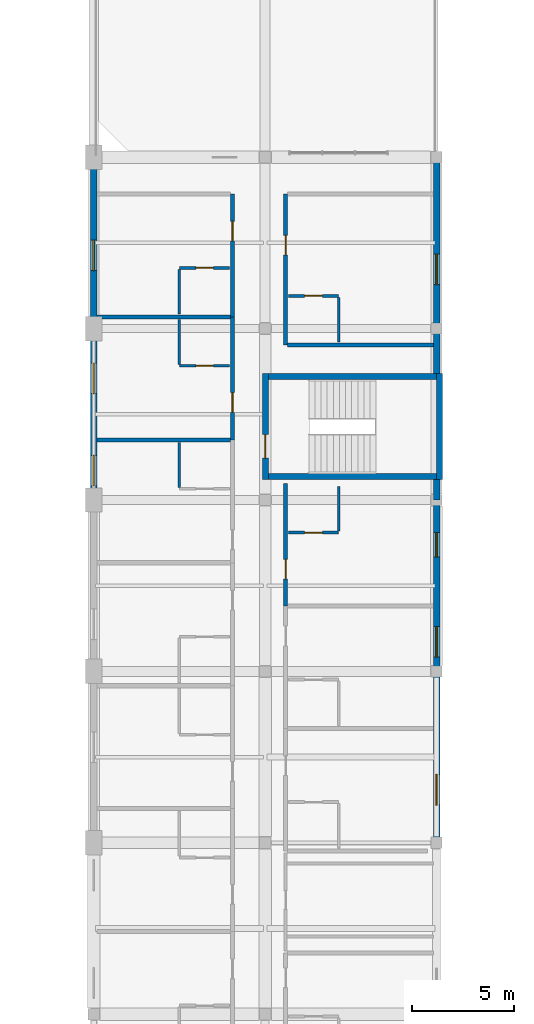
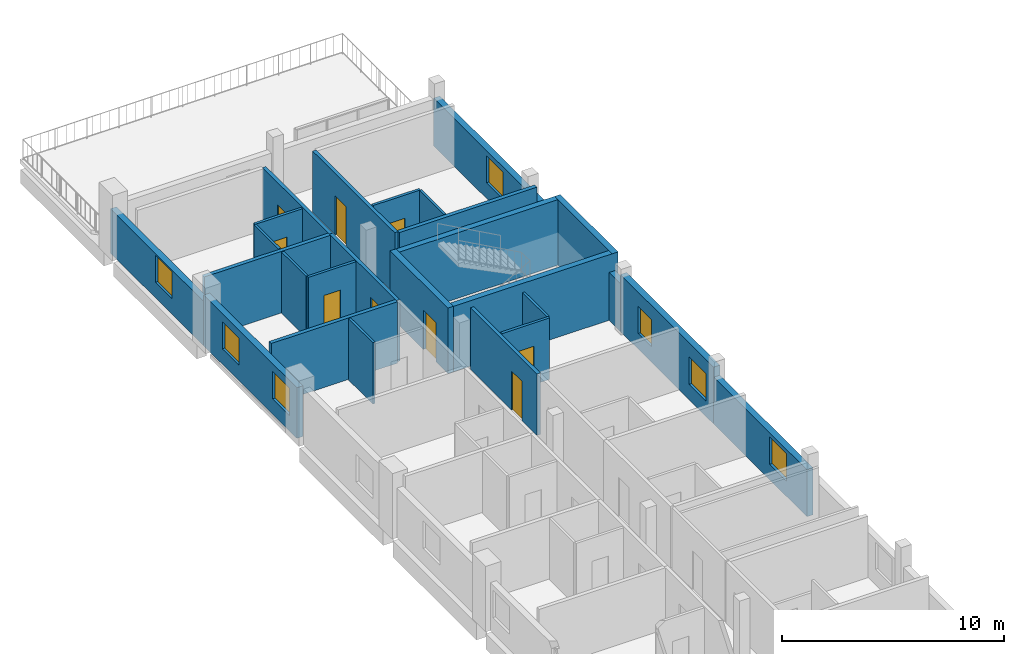
# One storey, part 17 of 26: 26 walls, 9 doors, 7 windows, 16 openings.
"""IFC4 building model written with IfcOpenShell, lengths in metres."""

from ifc_helpers import new_model, si_unit, derived_unit, direction, frame, frame_2d, origin, place, context, subcontext, project, spatial, rectangle, extrude, material, layer, layer_set, type_object, element, fill, save


model = new_model("IFC4")

# Units and contexts
model_context = context("Model", 3, precision=1e-05, world=origin(), true_north=direction((0.0, 1.0)))
body_context = subcontext(model_context, "Body", "Model", "MODEL_VIEW")
ifc_project = project(units=[si_unit("LENGTHUNIT", "METRE"), si_unit("AREAUNIT", "SQUARE_METRE"), si_unit("VOLUMEUNIT", "CUBIC_METRE"), si_unit("PLANEANGLEUNIT", "RADIAN"), si_unit("MASSUNIT", "GRAM", prefix="KILO"), derived_unit("THERMALTRANSMITTANCEUNIT", [(si_unit("POWERUNIT", "WATT"), 1), (si_unit("LENGTHUNIT", "METRE"), -2), (si_unit("THERMODYNAMICTEMPERATUREUNIT", "KELVIN"), -1)])], contexts=[model_context])

# Site, building, storey
site_placement = place(None, origin())
site = spatial("IfcSite", under=ifc_project, at=site_placement, CompositionType="ELEMENT")
building_placement = place(site_placement, origin())
building = spatial("IfcBuilding", under=site, at=building_placement, Name="Barrovel Congress Hotel", CompositionType="ELEMENT")
storey_placement = place(building_placement, frame((0.0, 0.0, 32.699951171875)))
storey = spatial("IfcBuildingStorey", under=building, at=storey_placement, Name="L08", CompositionType="ELEMENT", Elevation=32.699951171875)

# Wall, opening, window
ifc_material_1 = material(Name="Fired Clay Brick Masonry", Category="masonry")
ifc_layer_1 = layer(ifc_material_1, 0.320068359375)
ifc_layer_set_1 = layer_set([ifc_layer_1], Name="Fired Clay Brick Masonry")
wall_type_1 = type_object("IfcWallType", Name="EW-BRK320", PredefinedType="STANDARD", material=ifc_layer_set_1)
wall_1_placement = place(storey_placement, frame((50.39990234375, 60.800048828125, 0.0), z_axis=(0.0, 0.0, 1.0), x_axis=(0.0, 1.0, 0.0)))
wall_1 = element("IfcWall", 1, at=wall_1_placement, inside=storey, type_object=wall_type_1, Name="EW:L08:HW-E-2", PredefinedType="STANDARD", context=body_context, shape_type="SweptSolid", body=[
    extrude(rectangle(XDim=10.599853515625, YDim=0.320068359375, at=frame_2d((5.2998046875, 0.0))), origin(), (0.0, 0.0, 1.0), 2.630126953125),
])
opening_1_placement = place(wall_1_placement, frame((4.35009765625, 0.0, 0.85009765625)))
opening_1 = element("IfcOpeningElement", 2, at=opening_1_placement, cuts=wall_1, Name="Opening WN-07", PredefinedType="OPENING", context=body_context, shape_type="SweptSolid", body=[
    extrude(rectangle(XDim=1.5, YDim=1.5, at=frame_2d((0.75, 0.75))), frame((0.0, 0.169921875, 0.0), z_axis=(0.0, -1.0, 0.0), x_axis=(1.0, 0.0, 0.0)), (0.0, 0.0, 1.0), 0.340087890625),
])
ifc_material_2 = material(Name="Double Low-E Insulated Glazing", Category="glass")
window_type_1 = type_object("IfcWindowType", Name="WIN-WN-07", PartitioningType="SINGLE_PANEL", PredefinedType="WINDOW", material=ifc_material_2)
window_1_placement = place(opening_1_placement, origin())
window_1 = element("IfcWindow", 3, at=window_1_placement, inside=storey, type_object=window_type_1, Name="WIN:L08:U38", OverallHeight=1.5, OverallWidth=1.5, PartitioningType="SINGLE_PANEL", PredefinedType="WINDOW", context=body_context, shape_type="SweptSolid", body=[
    extrude(rectangle(XDim=1.5, YDim=1.5, at=frame_2d((0.75, 0.75))), frame((0.0, 0.030029296875, 0.0), z_axis=(0.0, -1.0, 0.0), x_axis=(1.0, 0.0, 0.0)), (0.0, 0.0, 1.0), 0.06005859375),
])
fill(opening_1, window_1)

wall_2_placement = place(storey_placement, frame((50.39990234375, 37.800048828125, 0.0), z_axis=(0.0, 0.0, 1.0), x_axis=(0.0, 1.0, 0.0)))
wall_2 = element("IfcWall", 4, at=wall_2_placement, inside=storey, type_object=wall_type_1, Name="EW:L08:HW-E-1:P02", PredefinedType="STANDARD", context=body_context, shape_type="SweptSolid", body=[
    extrude(rectangle(XDim=8.39990234375, YDim=0.320068359375, at=frame_2d((4.199951171875, 0.0))), origin(), (0.0, 0.0, 1.0), 2.580078125),
])
opening_2_placement = place(wall_2_placement, frame((1.85009765625, 0.0, 0.85009765625)))
opening_2 = element("IfcOpeningElement", 5, at=opening_2_placement, cuts=wall_2, Name="Opening WN-07", PredefinedType="OPENING", context=body_context, shape_type="SweptSolid", body=[
    extrude(rectangle(XDim=1.5, YDim=1.5, at=frame_2d((0.75, 0.75))), frame((0.0, 0.169921875, 0.0), z_axis=(0.0, -1.0, 0.0), x_axis=(1.0, 0.0, 0.0)), (0.0, 0.0, 1.0), 0.340087890625),
])
window_2_placement = place(opening_2_placement, origin())
window_2 = element("IfcWindow", 6, at=window_2_placement, inside=storey, type_object=window_type_1, Name="WIN:L08:U35", OverallHeight=1.5, OverallWidth=1.5, PartitioningType="SINGLE_PANEL", PredefinedType="WINDOW", context=body_context, shape_type="SweptSolid", body=[
    extrude(rectangle(XDim=1.5, YDim=1.5, at=frame_2d((0.75, 0.75))), frame((0.0, 0.030029296875, 0.0), z_axis=(0.0, -1.0, 0.0), x_axis=(1.0, 0.0, 0.0)), (0.0, 0.0, 1.0), 0.06005859375),
])
fill(opening_2, window_2)

# Wall, openings, windows
wall_3_placement = place(storey_placement, frame((50.39990234375, 46.199951171875, 0.0), z_axis=(0.0, 0.0, 1.0), x_axis=(0.0, 1.0, 0.0)))
wall_3 = element("IfcWall", 7, at=wall_3_placement, inside=storey, type_object=wall_type_1, Name="EW:L08:HW-E-1:P03", PredefinedType="STANDARD", context=body_context, shape_type="SweptSolid", body=[
    extrude(rectangle(XDim=8.400146484375, YDim=0.320068359375, at=frame_2d((4.2001953125, 0.0))), origin(), (0.0, 0.0, 1.0), 3.1259765625),
])
opening_3_placement = place(wall_3_placement, frame((0.699951171875, 0.0, 0.85009765625)))
opening_3 = element("IfcOpeningElement", 8, at=opening_3_placement, cuts=wall_3, Name="Opening WN-07", PredefinedType="OPENING", context=body_context, shape_type="SweptSolid", body=[
    extrude(rectangle(XDim=1.5, YDim=1.5, at=frame_2d((0.75, 0.75))), frame((0.0, 0.169921875, 0.0), z_axis=(0.0, -1.0, 0.0), x_axis=(1.0, 0.0, 0.0)), (0.0, 0.0, 1.0), 0.340087890625),
])
opening_4_placement = place(wall_3_placement, frame((5.60009765625, 0.0, 0.85009765625)))
opening_4 = element("IfcOpeningElement", 9, at=opening_4_placement, cuts=wall_3, Name="Opening WN-06", PredefinedType="OPENING", context=body_context, shape_type="SweptSolid", body=[
    extrude(rectangle(XDim=1.199951171875, YDim=1.5, at=frame_2d((0.60009765625, 0.75))), frame((0.0, 0.169921875, 0.0), z_axis=(0.0, -1.0, 0.0), x_axis=(1.0, 0.0, 0.0)), (0.0, 0.0, 1.0), 0.340087890625),
])
window_type_2 = type_object("IfcWindowType", Name="WIN-WN-06", PartitioningType="SINGLE_PANEL", PredefinedType="WINDOW", material=ifc_material_2)
window_3_placement = place(opening_4_placement, origin())
window_3 = element("IfcWindow", 10, at=window_3_placement, inside=storey, type_object=window_type_2, Name="WIN:L08:U37", OverallHeight=1.5, OverallWidth=1.199951171875, PartitioningType="SINGLE_PANEL", PredefinedType="WINDOW", context=body_context, shape_type="SweptSolid", body=[
    extrude(rectangle(XDim=1.199951171875, YDim=1.5, at=frame_2d((0.60009765625, 0.75))), frame((0.0, 0.030029296875, 0.0), z_axis=(0.0, -1.0, 0.0), x_axis=(1.0, 0.0, 0.0)), (0.0, 0.0, 1.0), 0.06005859375),
])
fill(opening_4, window_3)
window_4_placement = place(opening_3_placement, origin())
window_4 = element("IfcWindow", 11, at=window_4_placement, inside=storey, type_object=window_type_1, Name="WIN:L08:U36", OverallHeight=1.5, OverallWidth=1.5, PartitioningType="SINGLE_PANEL", PredefinedType="WINDOW", context=body_context, shape_type="SweptSolid", body=[
    extrude(rectangle(XDim=1.5, YDim=1.5, at=frame_2d((0.75, 0.75))), frame((0.0, 0.030029296875, 0.0), z_axis=(0.0, -1.0, 0.0), x_axis=(1.0, 0.0, 0.0)), (0.0, 0.0, 1.0), 0.06005859375),
])
fill(opening_3, window_4)

# Wall
wall_4_placement = place(storey_placement, frame((50.39990234375, 54.60009765625, 0.0), z_axis=(0.0, 0.0, 1.0), x_axis=(0.0, 1.0, 0.0)))
element("IfcWall", 12, at=wall_4_placement, inside=storey, type_object=wall_type_1, Name="EW:L08:HW-E-1:P04", PredefinedType="STANDARD", context=body_context, shape_type="SweptSolid", body=[
    extrude(rectangle(XDim=1.0, YDim=0.320068359375, at=frame_2d((0.5, 0.0))), origin(), (0.0, 0.0, 1.0), 2.630126953125),
])

# Wall, opening, window
wall_5_placement = place(storey_placement, frame((33.60009765625, 71.39990234375, 0.0), z_axis=(0.0, 0.0, 1.0), x_axis=(0.0, -1.0, 0.0)))
wall_5 = element("IfcWall", 13, at=wall_5_placement, inside=storey, type_object=wall_type_1, Name="EW:L08:HW-W:P01", PredefinedType="STANDARD", context=body_context, shape_type="SweptSolid", body=[
    extrude(rectangle(XDim=8.39990234375, YDim=0.320068359375, at=frame_2d((4.199951171875, 0.0))), origin(), (0.0, 0.0, 1.0), 2.429931640625),
])
opening_5_placement = place(wall_5_placement, frame((4.0625, 0.0, 0.85009765625)))
opening_5 = element("IfcOpeningElement", 14, at=opening_5_placement, cuts=wall_5, Name="Opening WN-07", PredefinedType="OPENING", context=body_context, shape_type="SweptSolid", body=[
    extrude(rectangle(XDim=1.5, YDim=1.5, at=frame_2d((0.75, 0.75))), frame((0.0, 0.169921875, 0.0), z_axis=(0.0, -1.0, 0.0), x_axis=(1.0, 0.0, 0.0)), (0.0, 0.0, 1.0), 0.340087890625),
])
window_5_placement = place(opening_5_placement, origin())
window_5 = element("IfcWindow", 15, at=window_5_placement, inside=storey, type_object=window_type_1, Name="WIN:L08:U32", OverallHeight=1.5, OverallWidth=1.5, PartitioningType="SINGLE_PANEL", PredefinedType="WINDOW", context=body_context, shape_type="SweptSolid", body=[
    extrude(rectangle(XDim=1.5, YDim=1.5, at=frame_2d((0.75, 0.75))), frame((0.0, 0.030029296875, 0.0), z_axis=(0.0, -1.0, 0.0), x_axis=(1.0, 0.0, 0.0)), (0.0, 0.0, 1.0), 0.06005859375),
])
fill(opening_5, window_5)

# Wall, openings, windows
wall_6_placement = place(storey_placement, frame((33.60009765625, 63.0, 0.0), z_axis=(0.0, 0.0, 1.0), x_axis=(0.0, -1.0, 0.0)))
wall_6 = element("IfcWall", 16, at=wall_6_placement, inside=storey, type_object=wall_type_1, Name="EW:L08:HW-W:P02", PredefinedType="STANDARD", context=body_context, shape_type="SweptSolid", body=[
    extrude(rectangle(XDim=8.39990234375, YDim=0.320068359375, at=frame_2d((4.199951171875, 0.0))), origin(), (0.0, 0.0, 1.0), 2.780029296875),
])
opening_6_placement = place(wall_6_placement, frame((6.21240234375, 0.0, 0.85009765625)))
opening_6 = element("IfcOpeningElement", 17, at=opening_6_placement, cuts=wall_6, Name="Opening WN-07", PredefinedType="OPENING", context=body_context, shape_type="SweptSolid", body=[
    extrude(rectangle(XDim=1.5, YDim=1.5, at=frame_2d((0.75, 0.75))), frame((0.0, 0.169921875, 0.0), z_axis=(0.0, -1.0, 0.0), x_axis=(1.0, 0.0, 0.0)), (0.0, 0.0, 1.0), 0.340087890625),
])
opening_7_placement = place(wall_6_placement, frame((1.6875, 0.0, 0.85009765625)))
opening_7 = element("IfcOpeningElement", 18, at=opening_7_placement, cuts=wall_6, Name="Opening WN-07", PredefinedType="OPENING", context=body_context, shape_type="SweptSolid", body=[
    extrude(rectangle(XDim=1.5, YDim=1.5, at=frame_2d((0.75, 0.75))), frame((0.0, 0.169921875, 0.0), z_axis=(0.0, -1.0, 0.0), x_axis=(1.0, 0.0, 0.0)), (0.0, 0.0, 1.0), 0.340087890625),
])
window_6_placement = place(opening_6_placement, origin())
window_6 = element("IfcWindow", 19, at=window_6_placement, inside=storey, type_object=window_type_1, Name="WIN:L08:U30", OverallHeight=1.5, OverallWidth=1.5, PartitioningType="SINGLE_PANEL", PredefinedType="WINDOW", context=body_context, shape_type="SweptSolid", body=[
    extrude(rectangle(XDim=1.5, YDim=1.5, at=frame_2d((0.75, 0.75))), frame((0.0, 0.030029296875, 0.0), z_axis=(0.0, -1.0, 0.0), x_axis=(1.0, 0.0, 0.0)), (0.0, 0.0, 1.0), 0.06005859375),
])
fill(opening_6, window_6)
window_7_placement = place(opening_7_placement, origin())
window_7 = element("IfcWindow", 20, at=window_7_placement, inside=storey, type_object=window_type_1, Name="WIN:L08:U31", OverallHeight=1.5, OverallWidth=1.5, PartitioningType="SINGLE_PANEL", PredefinedType="WINDOW", context=body_context, shape_type="SweptSolid", body=[
    extrude(rectangle(XDim=1.5, YDim=1.5, at=frame_2d((0.75, 0.75))), frame((0.0, 0.030029296875, 0.0), z_axis=(0.0, -1.0, 0.0), x_axis=(1.0, 0.0, 0.0)), (0.0, 0.0, 1.0), 0.06005859375),
])
fill(opening_7, window_7)

# Wall, opening, door
ifc_material_3 = material(Name="Gypsum Acoustic Stud", Category="gypsum")
ifc_layer_2 = layer(ifc_material_3, 0.179931640625)
ifc_layer_set_2 = layer_set([ifc_layer_2], Name="Gypsum Acoustic Stud")
wall_type_2 = type_object("IfcWallType", Name="PW-ACU-180", PredefinedType="PARTITIONING", material=ifc_layer_set_2)
wall_7_placement = place(storey_placement, frame((40.39990234375, 57.550048828125, 0.0), z_axis=(0.0, 0.0, 1.0), x_axis=(0.0, 1.0, 0.0)))
wall_7 = element("IfcWall", 21, at=wall_7_placement, inside=storey, type_object=wall_type_2, Name="PW:L08:U31:COR", PredefinedType="PARTITIONING", context=body_context, shape_type="SweptSolid", body=[
    extrude(rectangle(XDim=6.02490234375, YDim=0.179931640625, at=frame_2d((3.012451171875, 0.0))), origin(), (0.0, 0.0, 1.0), 3.375),
])
opening_8_placement = place(wall_7_placement, frame((1.347412109375, 0.0, 0.0)))
opening_8 = element("IfcOpeningElement", 22, at=opening_8_placement, cuts=wall_7, Name="Opening ID-HTL", PredefinedType="OPENING", context=body_context, shape_type="SweptSolid", body=[
    extrude(rectangle(XDim=0.9599609375, YDim=2.14990234375, at=frame_2d((0.47998046875, 1.074951171875))), frame((0.0, 0.10009765625, 0.0), z_axis=(0.0, -1.0, 0.0), x_axis=(1.0, 0.0, 0.0)), (0.0, 0.0, 1.0), 0.199951171875),
])
ifc_material_4 = material(Name="Solid Oak Acoustic Timber Door", Category="wood")
door_type_1 = type_object("IfcDoorType", Name="IDR-ID-HTL", OperationType="NOTDEFINED", PredefinedType="DOOR", material=ifc_material_4)
door_1_placement = place(opening_8_placement, origin())
door_1 = element("IfcDoor", 23, at=door_1_placement, inside=storey, type_object=door_type_1, Name="DR:L08:U31:ENT", OperationType="SINGLE_SWING_RIGHT", OverallHeight=2.14990234375, OverallWidth=0.9599609375, PredefinedType="DOOR", context=body_context, shape_type="SweptSolid", body=[
    extrude(rectangle(XDim=0.9599609375, YDim=2.14990234375, at=frame_2d((0.47998046875, 1.074951171875))), frame((0.0, 0.02490234375, 0.0), z_axis=(0.0, -1.0, 0.0), x_axis=(1.0, 0.0, 0.0)), (0.0, 0.0, 1.0), 0.050048828125),
])
fill(opening_8, door_1)

wall_8_placement = place(storey_placement, frame((40.39990234375, 63.574951171875, 0.0), z_axis=(0.0, 0.0, 1.0), x_axis=(0.0, 1.0, 0.0)))
wall_8 = element("IfcWall", 24, at=wall_8_placement, inside=storey, type_object=wall_type_2, Name="PW:L08:U32:COR", PredefinedType="PARTITIONING", context=body_context, shape_type="SweptSolid", body=[
    extrude(rectangle(XDim=6.025146484375, YDim=0.179931640625, at=frame_2d((3.0126953125, 0.0))), origin(), (0.0, 0.0, 1.0), 3.375),
])
opening_9_placement = place(wall_8_placement, frame((3.717529296875, 0.0, 0.0)))
opening_9 = element("IfcOpeningElement", 25, at=opening_9_placement, cuts=wall_8, Name="Opening ID-HTL", PredefinedType="OPENING", context=body_context, shape_type="SweptSolid", body=[
    extrude(rectangle(XDim=0.9599609375, YDim=2.14990234375, at=frame_2d((0.47998046875, 1.074951171875))), frame((0.0, 0.10009765625, 0.0), z_axis=(0.0, -1.0, 0.0), x_axis=(1.0, 0.0, 0.0)), (0.0, 0.0, 1.0), 0.199951171875),
])
door_2_placement = place(opening_9_placement, origin())
door_2 = element("IfcDoor", 26, at=door_2_placement, inside=storey, type_object=door_type_1, Name="DR:L08:U32:ENT", OperationType="SINGLE_SWING_RIGHT", OverallHeight=2.14990234375, OverallWidth=0.9599609375, PredefinedType="DOOR", context=body_context, shape_type="SweptSolid", body=[
    extrude(rectangle(XDim=0.9599609375, YDim=2.14990234375, at=frame_2d((0.47998046875, 1.074951171875))), frame((0.0, 0.02490234375, 0.0), z_axis=(0.0, -1.0, 0.0), x_axis=(1.0, 0.0, 0.0)), (0.0, 0.0, 1.0), 0.050048828125),
])
fill(opening_9, door_2)

wall_9_placement = place(storey_placement, frame((43.0, 49.39990234375, 0.0), z_axis=(0.0, 0.0, 1.0), x_axis=(0.0, 1.0, 0.0)))
wall_9 = element("IfcWall", 27, at=wall_9_placement, inside=storey, type_object=wall_type_2, Name="PW:L08:U37:COR", PredefinedType="PARTITIONING", context=body_context, shape_type="SweptSolid", body=[
    extrude(rectangle(XDim=6.0, YDim=0.179931640625, at=frame_2d((3.0, 0.0))), origin(), (0.0, 0.0, 1.0), 3.375),
])
opening_10_placement = place(wall_9_placement, frame((1.3349609375, 0.0, 0.0)))
opening_10 = element("IfcOpeningElement", 28, at=opening_10_placement, cuts=wall_9, Name="Opening ID-HTL", PredefinedType="OPENING", context=body_context, shape_type="SweptSolid", body=[
    extrude(rectangle(XDim=0.9599609375, YDim=2.14990234375, at=frame_2d((0.47998046875, 1.074951171875))), frame((0.0, 0.10009765625, 0.0), z_axis=(0.0, -1.0, 0.0), x_axis=(1.0, 0.0, 0.0)), (0.0, 0.0, 1.0), 0.199951171875),
])
door_3_placement = place(opening_10_placement, origin())
door_3 = element("IfcDoor", 29, at=door_3_placement, inside=storey, type_object=door_type_1, Name="DR:L08:U37:ENT", OperationType="SINGLE_SWING_RIGHT", OverallHeight=2.14990234375, OverallWidth=0.9599609375, PredefinedType="DOOR", context=body_context, shape_type="SweptSolid", body=[
    extrude(rectangle(XDim=0.9599609375, YDim=2.14990234375, at=frame_2d((0.47998046875, 1.074951171875))), frame((0.0, 0.02490234375, 0.0), z_axis=(0.0, -1.0, 0.0), x_axis=(1.0, 0.0, 0.0)), (0.0, 0.0, 1.0), 0.050048828125),
])
fill(opening_10, door_3)

wall_10_placement = place(storey_placement, frame((43.0, 62.199951171875, 0.0), z_axis=(0.0, 0.0, 1.0), x_axis=(0.0, 1.0, 0.0)))
wall_10 = element("IfcWall", 30, at=wall_10_placement, inside=storey, type_object=wall_type_2, Name="PW:L08:U38:COR", PredefinedType="PARTITIONING", context=body_context, shape_type="SweptSolid", body=[
    extrude(rectangle(XDim=7.400146484375, YDim=0.179931640625, at=frame_2d((3.7001953125, 0.0))), origin(), (0.0, 0.0, 1.0), 3.375),
])
opening_11_placement = place(wall_10_placement, frame((4.405029296875, 0.0, 0.0)))
opening_11 = element("IfcOpeningElement", 31, at=opening_11_placement, cuts=wall_10, Name="Opening ID-HTL", PredefinedType="OPENING", context=body_context, shape_type="SweptSolid", body=[
    extrude(rectangle(XDim=0.9599609375, YDim=2.14990234375, at=frame_2d((0.47998046875, 1.074951171875))), frame((0.0, 0.10009765625, 0.0), z_axis=(0.0, -1.0, 0.0), x_axis=(1.0, 0.0, 0.0)), (0.0, 0.0, 1.0), 0.199951171875),
])
door_4_placement = place(opening_11_placement, origin())
door_4 = element("IfcDoor", 32, at=door_4_placement, inside=storey, type_object=door_type_1, Name="DR:L08:U38:ENT", OperationType="SINGLE_SWING_RIGHT", OverallHeight=2.14990234375, OverallWidth=0.9599609375, PredefinedType="DOOR", context=body_context, shape_type="SweptSolid", body=[
    extrude(rectangle(XDim=0.9599609375, YDim=2.14990234375, at=frame_2d((0.47998046875, 1.074951171875))), frame((0.0, 0.02490234375, 0.0), z_axis=(0.0, -1.0, 0.0), x_axis=(1.0, 0.0, 0.0)), (0.0, 0.0, 1.0), 0.050048828125),
])
fill(opening_11, door_4)

# Walls
ifc_layer_3 = layer(ifc_material_3, 0.1201171875)
ifc_layer_set_3 = layer_set([ifc_layer_3], Name="Gypsum Acoustic Stud")
wall_type_3 = type_object("IfcWallType", Name="PW-INT-120", PredefinedType="PARTITIONING", material=ifc_layer_set_3)
for number, where, z_axis, x_axis, name in (
    (33, (37.800048828125, 55.219970703125, 0.0), (0.0, 0.0, 1.0), (0.0, 1.0, 0.0), "PW:L08:U30:B2"),
    (34, (37.800048828125, 61.2451171875, 0.0), (0.0, 0.0, 1.0), (0.0, 1.0, 0.0), "PW:L08:U31:B2"),
    (35, (37.800048828125, 63.715087890625, 0.0), (0.0, 0.0, 1.0), (0.0, 1.0, 0.0), "PW:L08:U32:B2"),
    (36, (45.60009765625, 53.070068359375, 0.0), (0.0, 0.0, 1.0), (0.0, 1.0, 0.0), "PW:L08:U37:B2"),
    (37, (45.60009765625, 62.340087890625, 0.0), (0.0, 0.0, 1.0), (0.0, 1.0, 0.0), "PW:L08:U38:B2"),
):
    element("IfcWall", number, at=place(storey_placement, frame(where, z_axis=z_axis, x_axis=x_axis)), inside=storey, type_object=wall_type_3, Name=name, PredefinedType="PARTITIONING", context=body_context, shape_type="SweptSolid", body=[
        extrude(rectangle(XDim=2.18994140625, YDim=0.1201171875, at=frame_2d((1.094970703125, 0.0))), origin(), (0.0, 0.0, 1.0), 3.375),
    ])
ifc_layer_4 = layer(ifc_material_1, 0.199951171875)
ifc_layer_set_4 = layer_set([ifc_layer_4], Name="Fired Clay Brick Masonry")
wall_type_4 = type_object("IfcWallType", Name="PW-MAS-200", PredefinedType="PARTITIONING", material=ifc_layer_set_4)
for number, where, z_axis, x_axis, name in (
    (38, (33.760009765625, 57.550048828125, 0.0), (0.0, 0.0, 1.0), (1.0, 0.0, 0.0), "PW:L08:U30:DEM"),
    (39, (33.760009765625, 63.574951171875, 0.0), (0.0, 0.0, 1.0), (1.0, 0.0, 0.0), "PW:L08:U31:DEM"),
):
    element("IfcWall", number, at=place(storey_placement, frame(where, z_axis=z_axis, x_axis=x_axis)), inside=storey, type_object=wall_type_4, Name=name, PredefinedType="PARTITIONING", context=body_context, shape_type="SweptSolid", body=[
        extrude(rectangle(XDim=6.550048828125, YDim=0.199951171875, at=frame_2d((3.27490234375, 0.0))), origin(), (0.0, 0.0, 1.0), 3.375),
    ])
wall_11_placement = place(storey_placement, frame((43.090087890625, 62.199951171875, 0.0), z_axis=(0.0, 0.0, 1.0), x_axis=(1.0, 0.0, 0.0)))
element("IfcWall", 40, at=wall_11_placement, inside=storey, type_object=wall_type_4, Name="PW:L08:U38:DEM0", PredefinedType="PARTITIONING", context=body_context, shape_type="SweptSolid", body=[
    extrude(rectangle(XDim=7.14990234375, YDim=0.199951171875, at=frame_2d((3.574951171875, 0.0))), origin(), (0.0, 0.0, 1.0), 3.375),
])

# Wall, opening, door
ifc_material_5 = material(Name="Gypsum Moisture Board", Category="gypsum")
ifc_layer_5 = layer(ifc_material_5, 0.139892578125)
ifc_layer_set_5 = layer_set([ifc_layer_5], Name="Gypsum Moisture Board")
wall_type_5 = type_object("IfcWallType", Name="PW-WET-140", PredefinedType="PARTITIONING", material=ifc_layer_set_5)
wall_12_placement = place(storey_placement, frame((37.800048828125, 61.175048828125, 0.0), z_axis=(0.0, 0.0, 1.0), x_axis=(1.0, 0.0, 0.0)))
wall_12 = element("IfcWall", 41, at=wall_12_placement, inside=storey, type_object=wall_type_5, Name="PW:L08:U31:B1", PredefinedType="PARTITIONING", context=body_context, shape_type="SweptSolid", body=[
    extrude(rectangle(XDim=2.4599609375, YDim=0.139892578125, at=frame_2d((1.22998046875, 0.0))), origin(), (0.0, 0.0, 1.0), 3.375),
])
opening_12_placement = place(wall_12_placement, frame((0.800048828125, 0.0, 0.0)))
opening_12 = element("IfcOpeningElement", 42, at=opening_12_placement, cuts=wall_12, Name="Opening ID-ENS", PredefinedType="OPENING", context=body_context, shape_type="SweptSolid", body=[
    extrude(rectangle(XDim=0.860107421875, YDim=2.10009765625, at=frame_2d((0.43017578125, 1.050048828125))), frame((0.0, 0.080078125, 0.0), z_axis=(0.0, -1.0, 0.0), x_axis=(1.0, 0.0, 0.0)), (0.0, 0.0, 1.0), 0.159912109375),
])
ifc_material_6 = material(Name="Lacquered Timber Moisture Door", Category="wood")
door_type_2 = type_object("IfcDoorType", Name="IDR-ID-ENS", OperationType="NOTDEFINED", PredefinedType="DOOR", material=ifc_material_6)
door_5_placement = place(opening_12_placement, origin())
door_5 = element("IfcDoor", 43, at=door_5_placement, inside=storey, type_object=door_type_2, Name="DR:L08:U31:ENS", OperationType="SINGLE_SWING_LEFT", OverallHeight=2.10009765625, OverallWidth=0.860107421875, PredefinedType="DOOR", context=body_context, shape_type="SweptSolid", body=[
    extrude(rectangle(XDim=0.860107421875, YDim=2.10009765625, at=frame_2d((0.43017578125, 1.050048828125))), frame((0.0, 0.02490234375, 0.0), z_axis=(0.0, -1.0, 0.0), x_axis=(1.0, 0.0, 0.0)), (0.0, 0.0, 1.0), 0.050048828125),
])
fill(opening_12, door_5)

wall_13_placement = place(storey_placement, frame((37.800048828125, 65.97509765625, 0.0), z_axis=(0.0, 0.0, 1.0), x_axis=(1.0, 0.0, 0.0)))
wall_13 = element("IfcWall", 44, at=wall_13_placement, inside=storey, type_object=wall_type_5, Name="PW:L08:U32:B1", PredefinedType="PARTITIONING", context=body_context, shape_type="SweptSolid", body=[
    extrude(rectangle(XDim=2.4599609375, YDim=0.139892578125, at=frame_2d((1.22998046875, 0.0))), origin(), (0.0, 0.0, 1.0), 3.375),
])
opening_13_placement = place(wall_13_placement, frame((0.800048828125, 0.0, 0.0)))
opening_13 = element("IfcOpeningElement", 45, at=opening_13_placement, cuts=wall_13, Name="Opening ID-ENS", PredefinedType="OPENING", context=body_context, shape_type="SweptSolid", body=[
    extrude(rectangle(XDim=0.860107421875, YDim=2.10009765625, at=frame_2d((0.43017578125, 1.050048828125))), frame((0.0, 0.080078125, 0.0), z_axis=(0.0, -1.0, 0.0), x_axis=(1.0, 0.0, 0.0)), (0.0, 0.0, 1.0), 0.159912109375),
])
door_6_placement = place(opening_13_placement, origin())
door_6 = element("IfcDoor", 46, at=door_6_placement, inside=storey, type_object=door_type_2, Name="DR:L08:U32:ENS", OperationType="SINGLE_SWING_LEFT", OverallHeight=2.10009765625, OverallWidth=0.860107421875, PredefinedType="DOOR", context=body_context, shape_type="SweptSolid", body=[
    extrude(rectangle(XDim=0.860107421875, YDim=2.10009765625, at=frame_2d((0.43017578125, 1.050048828125))), frame((0.0, 0.02490234375, 0.0), z_axis=(0.0, -1.0, 0.0), x_axis=(1.0, 0.0, 0.0)), (0.0, 0.0, 1.0), 0.050048828125),
])
fill(opening_13, door_6)

wall_14_placement = place(storey_placement, frame((43.139892578125, 53.0, 0.0), z_axis=(0.0, 0.0, 1.0), x_axis=(1.0, 0.0, 0.0)))
wall_14 = element("IfcWall", 47, at=wall_14_placement, inside=storey, type_object=wall_type_5, Name="PW:L08:U37:B1", PredefinedType="PARTITIONING", context=body_context, shape_type="SweptSolid", body=[
    extrude(rectangle(XDim=2.460205078125, YDim=0.139892578125, at=frame_2d((1.22998046875, 0.0))), origin(), (0.0, 0.0, 1.0), 3.375),
])
opening_14_placement = place(wall_14_placement, frame((0.800048828125, 0.0, 0.0)))
opening_14 = element("IfcOpeningElement", 48, at=opening_14_placement, cuts=wall_14, Name="Opening ID-ENS", PredefinedType="OPENING", context=body_context, shape_type="SweptSolid", body=[
    extrude(rectangle(XDim=0.860107421875, YDim=2.10009765625, at=frame_2d((0.43017578125, 1.050048828125))), frame((0.0, 0.080078125, 0.0), z_axis=(0.0, -1.0, 0.0), x_axis=(1.0, 0.0, 0.0)), (0.0, 0.0, 1.0), 0.159912109375),
])
door_7_placement = place(opening_14_placement, origin())
door_7 = element("IfcDoor", 49, at=door_7_placement, inside=storey, type_object=door_type_2, Name="DR:L08:U37:ENS", OperationType="SINGLE_SWING_LEFT", OverallHeight=2.10009765625, OverallWidth=0.860107421875, PredefinedType="DOOR", context=body_context, shape_type="SweptSolid", body=[
    extrude(rectangle(XDim=0.860107421875, YDim=2.10009765625, at=frame_2d((0.43017578125, 1.050048828125))), frame((0.0, 0.02490234375, 0.0), z_axis=(0.0, -1.0, 0.0), x_axis=(1.0, 0.0, 0.0)), (0.0, 0.0, 1.0), 0.050048828125),
])
fill(opening_14, door_7)

wall_15_placement = place(storey_placement, frame((43.139892578125, 64.60009765625, 0.0), z_axis=(0.0, 0.0, 1.0), x_axis=(1.0, 0.0, 0.0)))
wall_15 = element("IfcWall", 50, at=wall_15_placement, inside=storey, type_object=wall_type_5, Name="PW:L08:U38:B1", PredefinedType="PARTITIONING", context=body_context, shape_type="SweptSolid", body=[
    extrude(rectangle(XDim=2.460205078125, YDim=0.139892578125, at=frame_2d((1.22998046875, 0.0))), origin(), (0.0, 0.0, 1.0), 3.375),
])
opening_15_placement = place(wall_15_placement, frame((0.800048828125, 0.0, 0.0)))
opening_15 = element("IfcOpeningElement", 51, at=opening_15_placement, cuts=wall_15, Name="Opening ID-ENS", PredefinedType="OPENING", context=body_context, shape_type="SweptSolid", body=[
    extrude(rectangle(XDim=0.860107421875, YDim=2.10009765625, at=frame_2d((0.43017578125, 1.050048828125))), frame((0.0, 0.080078125, 0.0), z_axis=(0.0, -1.0, 0.0), x_axis=(1.0, 0.0, 0.0)), (0.0, 0.0, 1.0), 0.159912109375),
])
door_8_placement = place(opening_15_placement, origin())
door_8 = element("IfcDoor", 52, at=door_8_placement, inside=storey, type_object=door_type_2, Name="DR:L08:U38:ENS", OperationType="SINGLE_SWING_LEFT", OverallHeight=2.10009765625, OverallWidth=0.860107421875, PredefinedType="DOOR", context=body_context, shape_type="SweptSolid", body=[
    extrude(rectangle(XDim=0.860107421875, YDim=2.10009765625, at=frame_2d((0.43017578125, 1.050048828125))), frame((0.0, 0.02490234375, 0.0), z_axis=(0.0, -1.0, 0.0), x_axis=(1.0, 0.0, 0.0)), (0.0, 0.0, 1.0), 0.050048828125),
])
fill(opening_15, door_8)

# Walls
ifc_material_7 = material(Name="Concrete C40", Category="concrete")
ifc_layer_6 = layer(ifc_material_7, 0.300048828125)
ifc_layer_set_6 = layer_set([ifc_layer_6], Name="Concrete C40")
wall_type_6 = type_object("IfcWallType", Name="SW-C40-300", PredefinedType="SHEAR", material=ifc_layer_set_6)
wall_16_placement = place(storey_placement, frame((41.860107421875, 55.75, 0.0), z_axis=(0.0, 0.0, 1.0), x_axis=(1.0, 0.0, 0.0)))
element("IfcWall", 53, at=wall_16_placement, inside=storey, type_object=wall_type_6, Name="SHW:XS-05:L08:S", PredefinedType="SHEAR", context=body_context, shape_type="SweptSolid", body=[
    extrude(rectangle(XDim=8.83984375, YDim=0.300048828125, at=frame_2d((4.419921875, 0.0))), origin(), (0.0, 0.0, 1.0), 3.60009765625),
])
wall_17_placement = place(storey_placement, frame((50.550048828125, 55.60009765625, 0.0), z_axis=(0.0, 0.0, 1.0), x_axis=(0.0, 1.0, 0.0)))
element("IfcWall", 54, at=wall_17_placement, inside=storey, type_object=wall_type_6, Name="SHW:XS-05:L08:E", PredefinedType="SHEAR", context=body_context, shape_type="SweptSolid", body=[
    extrude(rectangle(XDim=5.199951171875, YDim=0.300048828125, at=frame_2d((2.60009765625, 0.0))), origin(), (0.0, 0.0, 1.0), 3.60009765625),
])
wall_18_placement = place(storey_placement, frame((50.699951171875, 60.64990234375, 0.0), z_axis=(0.0, 0.0, 1.0), x_axis=(-1.0, 0.0, 0.0)))
element("IfcWall", 55, at=wall_18_placement, inside=storey, type_object=wall_type_6, Name="SHW:XS-05:L08:N", PredefinedType="SHEAR", context=body_context, shape_type="SweptSolid", body=[
    extrude(rectangle(XDim=8.83984375, YDim=0.300048828125, at=frame_2d((4.419921875, 0.0))), origin(), (0.0, 0.0, 1.0), 3.60009765625),
])

# Wall, opening, door
wall_19_placement = place(storey_placement, frame((42.010009765625, 60.800048828125, 0.0), z_axis=(0.0, 0.0, 1.0), x_axis=(0.0, -1.0, 0.0)))
wall_19 = element("IfcWall", 56, at=wall_19_placement, inside=storey, type_object=wall_type_6, Name="SHW:XS-05:L08:W", PredefinedType="SHEAR", context=body_context, shape_type="SweptSolid", body=[
    extrude(rectangle(XDim=5.199951171875, YDim=0.300048828125, at=frame_2d((2.60009765625, 0.0))), origin(), (0.0, 0.0, 1.0), 3.60009765625),
])
opening_16_placement = place(wall_19_placement, frame((3.0, 0.0, 0.0)))
opening_16 = element("IfcOpeningElement", 57, at=opening_16_placement, cuts=wall_19, Name="Opening ID-ST1", PredefinedType="OPENING", context=body_context, shape_type="SweptSolid", body=[
    extrude(rectangle(XDim=1.14990234375, YDim=2.14990234375, at=frame_2d((0.574951171875, 1.074951171875))), frame((0.0, 0.16015625, 0.0), z_axis=(0.0, -1.0, 0.0), x_axis=(1.0, 0.0, 0.0)), (0.0, 0.0, 1.0), 0.320068359375),
])
ifc_material_8 = material(Name="Painted Hollow-Metal Steel Door", Category="steel")
door_type_3 = type_object("IfcDoorType", Name="IDR-ID-ST1", OperationType="NOTDEFINED", PredefinedType="DOOR", material=ifc_material_8)
door_9_placement = place(opening_16_placement, origin())
door_9 = element("IfcDoor", 58, at=door_9_placement, inside=storey, type_object=door_type_3, Name="Stair Core Fire Door XS-05-L08", OperationType="SINGLE_SWING_LEFT", OverallHeight=2.14990234375, OverallWidth=1.14990234375, PredefinedType="DOOR", context=body_context, shape_type="SweptSolid", body=[
    extrude(rectangle(XDim=1.14990234375, YDim=2.14990234375, at=frame_2d((0.574951171875, 1.074951171875))), frame((0.0, 0.02490234375, 0.0), z_axis=(0.0, -1.0, 0.0), x_axis=(1.0, 0.0, 0.0)), (0.0, 0.0, 1.0), 0.050048828125),
])
fill(opening_16, door_9)

save(model, "model.ifc")
